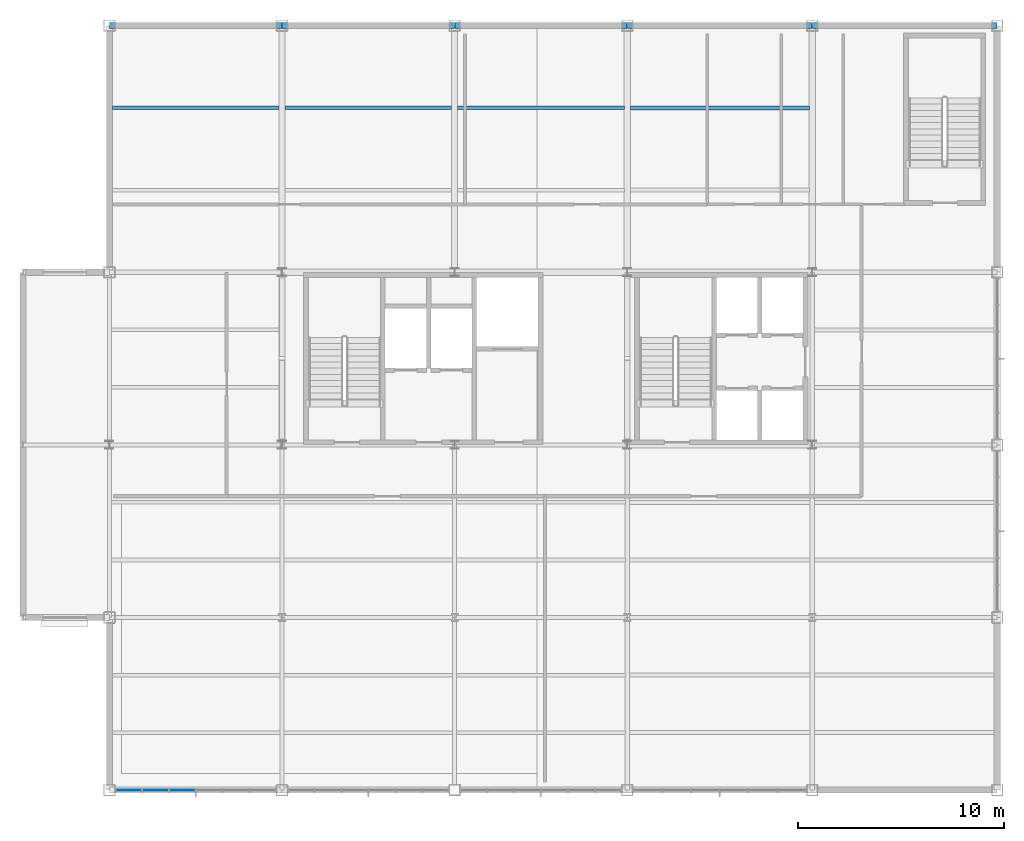
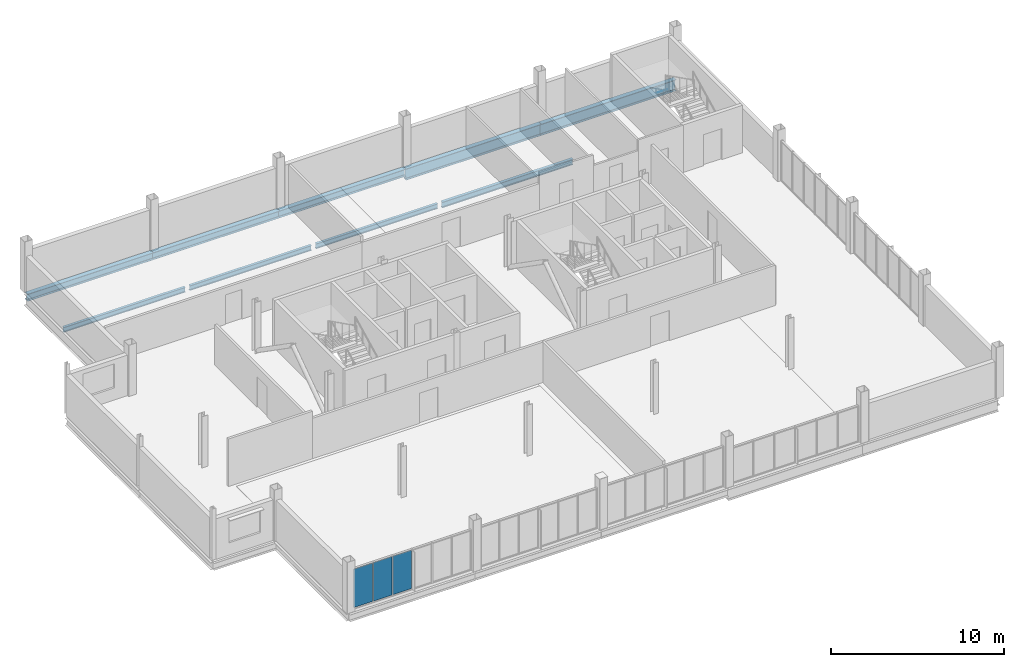
# One storey, part 10 of 18: 9 beams, 3 plates, 1 element without a shape of its own.
"""IFC4 building model written with IfcOpenShell, lengths in metres."""

from ifc_helpers import new_model, si_unit, direction, frame, origin, origin_2d, place, context, subcontext, project, spatial, rectangle, i_section, extrude, material, layer, layer_set, material_profile, profile_set, type_object, element, aggregate, save


model = new_model("IFC4")

# Units and contexts
model_context = context("Model", 3, precision=1e-05, world=origin(), true_north=direction((0.0, 1.0)))
body_context = subcontext(model_context, "Body", "Model", "MODEL_VIEW")
ifc_project = project(units=[si_unit("LENGTHUNIT", "METRE"), si_unit("AREAUNIT", "SQUARE_METRE"), si_unit("VOLUMEUNIT", "CUBIC_METRE"), si_unit("PLANEANGLEUNIT", "RADIAN"), si_unit("MASSUNIT", "GRAM", prefix="KILO")], contexts=[model_context])

# Site, building, storey
site_placement = place(None, origin())
site = spatial("IfcSite", under=ifc_project, at=site_placement, CompositionType="ELEMENT")
building_placement = place(site_placement, origin())
building = spatial("IfcBuilding", under=site, at=building_placement, Name="Yukiwa Park Conservatory and Herbarium", CompositionType="ELEMENT")
storey_placement = place(building_placement, frame((0.0, 0.0, 24.60009765625)))
storey = spatial("IfcBuildingStorey", under=building, at=storey_placement, Name="L06", CompositionType="ELEMENT", Elevation=24.60009765625)

# Beams
ifc_material_1 = material(Name="Steel Q355D", Category="steel")
ifc_material_profile_1 = material_profile(ifc_material_1, i_section(OverallWidth=0.174072265625, OverallDepth=0.345947265625, WebThickness=0.006103515625, FlangeThickness=0.009033203125, FilletRadius=0.013916015625, at=origin_2d()), Name="HN 346x174x6x9")
ifc_profile_set_1 = profile_set([ifc_material_profile_1], Name="Steel Q355D")
beam_type_1 = type_object("IfcBeamType", Name="BM-JST-HN346", PredefinedType="JOIST", material=ifc_profile_set_1)
beam_1_placement = place(storey_placement, frame((124.946044921875, 111.199951171875, -0.423095703125), z_axis=(1.0, 0.0, 0.0), x_axis=(0.0, 1.0, 0.0)))
element("IfcBeam", 1, at=beam_1_placement, inside=storey, type_object=beam_type_1, Name="L06 composite floor joist 8", PredefinedType="JOIST", context=body_context, shape_type="SweptSolid", body=[
    extrude(i_section(OverallWidth=0.174072265625, OverallDepth=0.345947265625, WebThickness=0.006103515625, FlangeThickness=0.009033203125, FilletRadius=0.013916015625, at=origin_2d()), origin(), (0.0, 0.0, 1.0), 8.10791015625),
])
beam_2_placement = place(storey_placement, frame((133.345947265625, 111.199951171875, -0.423095703125), z_axis=(1.0, 0.0, 0.0), x_axis=(0.0, 1.0, 0.0)))
element("IfcBeam", 2, at=beam_2_placement, inside=storey, type_object=beam_type_1, Name="L06 composite floor joist 14", PredefinedType="JOIST", context=body_context, shape_type="SweptSolid", body=[
    extrude(i_section(OverallWidth=0.174072265625, OverallDepth=0.345947265625, WebThickness=0.006103515625, FlangeThickness=0.009033203125, FilletRadius=0.013916015625, at=origin_2d()), origin(), (0.0, 0.0, 1.0), 8.108154296875),
])
beam_3_placement = place(storey_placement, frame((141.74609375, 111.199951171875, -0.423095703125), z_axis=(1.0, 0.0, 0.0), x_axis=(0.0, 1.0, 0.0)))
element("IfcBeam", 3, at=beam_3_placement, inside=storey, type_object=beam_type_1, Name="L06 composite floor joist 20", PredefinedType="JOIST", context=body_context, shape_type="SweptSolid", body=[
    extrude(i_section(OverallWidth=0.174072265625, OverallDepth=0.345947265625, WebThickness=0.006103515625, FlangeThickness=0.009033203125, FilletRadius=0.013916015625, at=origin_2d()), origin(), (0.0, 0.0, 1.0), 8.10791015625),
])
ifc_material_2 = material(Name="Steel Q355D", Category="steel")
ifc_material_profile_2 = material_profile(ifc_material_2, i_section(OverallWidth=0.198974609375, OverallDepth=0.39599609375, WebThickness=0.007080078125, FlangeThickness=0.010986328125, FilletRadius=0.01611328125, at=origin_2d()), Name="HN 396x199x7x11")
ifc_profile_set_2 = profile_set([ifc_material_profile_2], Name="Steel Q355D")
beam_type_2 = type_object("IfcBeamType", Name="BM-JST-HN396", PredefinedType="JOIST", material=ifc_profile_set_2)
beam_4_placement = place(storey_placement, frame((150.14599609375, 111.199951171875, -0.447998046875), z_axis=(1.0, 0.0, 0.0), x_axis=(0.0, 1.0, 0.0)))
element("IfcBeam", 4, at=beam_4_placement, inside=storey, type_object=beam_type_2, Name="L06 composite floor joist 26", PredefinedType="JOIST", context=body_context, shape_type="SweptSolid", body=[
    extrude(i_section(OverallWidth=0.198974609375, OverallDepth=0.39599609375, WebThickness=0.007080078125, FlangeThickness=0.010986328125, FilletRadius=0.01611328125, at=origin_2d()), origin(), (0.0, 0.0, 1.0), 8.7080078125),
])
ifc_material_3 = material(Name="Steel Q355D", Category="steel")
ifc_material_profile_3 = material_profile(ifc_material_3, i_section(OverallWidth=0.300048828125, OverallDepth=0.5, WebThickness=0.010986328125, FlangeThickness=0.01806640625, FilletRadius=0.02392578125, at=origin_2d()), Name="HM 500x300x11x18")
ifc_profile_set_3 = profile_set([ifc_material_profile_3], Name="Steel Q355D")
beam_type_3 = type_object("IfcBeamType", Name="BM-SPN-HN500", PredefinedType="SPANDREL", material=ifc_profile_set_3)
beam_5_placement = place(storey_placement, frame((124.805908203125, 115.199951171875, -0.5), z_axis=(1.0, 0.0, 0.0), x_axis=(0.0, 1.0, 0.0)))
element("IfcBeam", 5, at=beam_5_placement, inside=storey, type_object=beam_type_3, Name="L06 spandrel beam X-24", PredefinedType="SPANDREL", context=body_context, shape_type="SweptSolid", body=[
    extrude(i_section(OverallWidth=0.300048828125, OverallDepth=0.5, WebThickness=0.010986328125, FlangeThickness=0.01806640625, FilletRadius=0.02392578125, at=origin_2d()), origin(), (0.0, 0.0, 1.0), 8.38818359375),
])
for number, where, z_axis, x_axis, name in (
    (6, (133.2060546875, 115.199951171875, -0.5), (1.0, 0.0, 0.0), (0.0, 1.0, 0.0), "L06 spandrel beam X-25"),
    (7, (141.60595703125, 115.199951171875, -0.5), (1.0, 0.0, 0.0), (0.0, 1.0, 0.0), "L06 spandrel beam X-26"),
):
    element("IfcBeam", number, at=place(storey_placement, frame(where, z_axis=z_axis, x_axis=x_axis)), inside=storey, type_object=beam_type_3, Name=name, PredefinedType="SPANDREL", context=body_context, shape_type="SweptSolid", body=[
        extrude(i_section(OverallWidth=0.300048828125, OverallDepth=0.5, WebThickness=0.010986328125, FlangeThickness=0.01806640625, FilletRadius=0.02392578125, at=origin_2d()), origin(), (0.0, 0.0, 1.0), 8.387939453125),
    ])
ifc_material_4 = material(Name="Steel Q355D", Category="steel")
ifc_material_profile_4 = material_profile(ifc_material_4, i_section(OverallWidth=0.300048828125, OverallDepth=0.7919921875, WebThickness=0.013916015625, FlangeThickness=0.02197265625, FilletRadius=0.028076171875, at=origin_2d()), Name="HN 792x300x14x22")
ifc_profile_set_4 = profile_set([ifc_material_profile_4], Name="Steel Q355D")
beam_type_4 = type_object("IfcBeamType", Name="BM-SPN-HN600", PredefinedType="SPANDREL", material=ifc_profile_set_4)
for number, where, z_axis, x_axis, name in (
    (8, (150.006103515625, 115.199951171875, -0.64599609375), (1.0, 0.0, 0.0), (0.0, 1.0, 0.0), "L06 spandrel beam X-27"),
    (9, (159.006103515625, 115.199951171875, -0.64599609375), (1.0, 0.0, 0.0), (0.0, 1.0, 0.0), "L06 spandrel beam X-28"),
):
    element("IfcBeam", number, at=place(storey_placement, frame(where, z_axis=z_axis, x_axis=x_axis)), inside=storey, type_object=beam_type_4, Name=name, PredefinedType="SPANDREL", context=body_context, shape_type="SweptSolid", body=[
        extrude(i_section(OverallWidth=0.300048828125, OverallDepth=0.7919921875, WebThickness=0.013916015625, FlangeThickness=0.02197265625, FilletRadius=0.028076171875, at=origin_2d()), origin(), (0.0, 0.0, 1.0), 8.98779296875),
    ])

# Curtain wall, plates
ifc_material_5 = material(Name="Triple Low-E Insulated Glass", Category="glass")
ifc_layer_1 = layer(ifc_material_5, 0.248046875)
ifc_layer_set_1 = layer_set([ifc_layer_1], Name="Triple Low-E Insulated Glass")
curtain_wall_type = type_object("IfcCurtainWallType", Name="CW-TOWER-LAB-S-1400", PredefinedType="NOTDEFINED", material=ifc_layer_set_1)
curtain_wall_placement = place(storey_placement, origin())
curtain_wall = element("IfcCurtainWall", 10, at=curtain_wall_placement, inside=storey, type_object=curtain_wall_type, Name="L06 unitised curtain wall CW-L06-082", PredefinedType="NOTDEFINED")
ifc_material_6 = material(Name="Triple Low-E Insulated Glass", Category="glass")
ifc_layer_2 = layer(ifc_material_6, 0.035888671875)
ifc_layer_set_2 = layer_set([ifc_layer_2], Name="Triple Low-E Insulated Glass")
plate_type = type_object("IfcPlateType", Name="PL-CW-GLZ-36", PredefinedType="CURTAIN_PANEL", material=ifc_layer_set_2)
plate_1_placement = place(storey_placement, frame((125.729248046875, 78.0, 0.06982421875), z_axis=(0.0, 0.0, 1.0), x_axis=(1.0, 0.0, 0.0)))
plate_1 = element("IfcPlate", 11, at=plate_1_placement, type_object=plate_type, Name="CW-L06-082 vision panel 1.1", PredefinedType="CURTAIN_PANEL", context=body_context, shape_type="SweptSolid", body=[
    extrude(rectangle(XDim=1.23828125, YDim=0.035888671875, at=origin_2d()), origin(), (0.0, 0.0, 1.0), 2.705078125),
])
plate_2_placement = place(storey_placement, frame((127.03759765625, 78.0, 0.06982421875), z_axis=(0.0, 0.0, 1.0), x_axis=(1.0, 0.0, 0.0)))
plate_2 = element("IfcPlate", 12, at=plate_2_placement, type_object=plate_type, Name="CW-L06-082 vision panel 2.1", PredefinedType="CURTAIN_PANEL", context=body_context, shape_type="SweptSolid", body=[
    extrude(rectangle(XDim=1.23828125, YDim=0.035888671875, at=origin_2d()), origin(), (0.0, 0.0, 1.0), 2.705078125),
])
plate_3_placement = place(storey_placement, frame((128.345703125, 78.0, 0.06982421875), z_axis=(0.0, 0.0, 1.0), x_axis=(1.0, 0.0, 0.0)))
plate_3 = element("IfcPlate", 13, at=plate_3_placement, type_object=plate_type, Name="CW-L06-082 vision panel 3.1", PredefinedType="CURTAIN_PANEL", context=body_context, shape_type="SweptSolid", body=[
    extrude(rectangle(XDim=1.23828125, YDim=0.035888671875, at=origin_2d()), origin(), (0.0, 0.0, 1.0), 2.705078125),
])
aggregate(curtain_wall, [plate_1, plate_2, plate_3])

save(model, "model.ifc")
